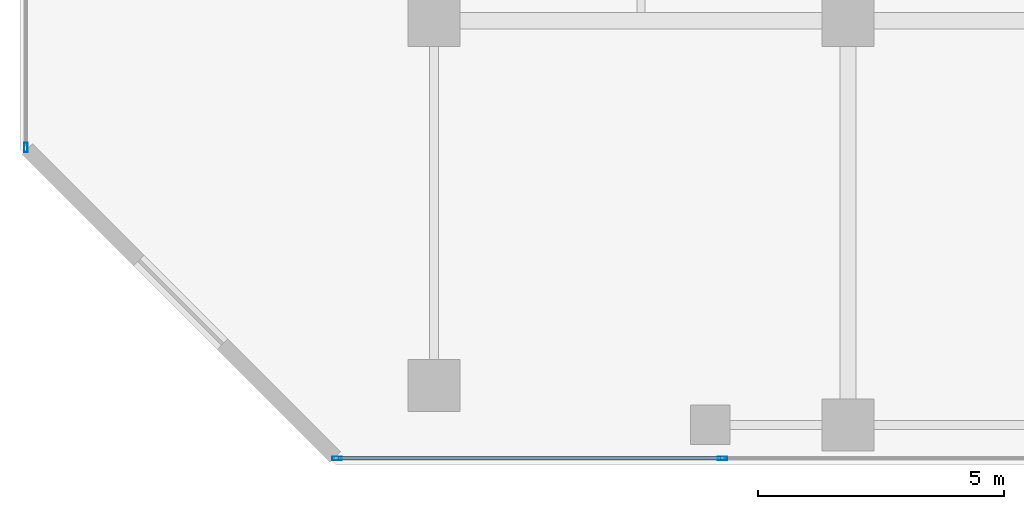
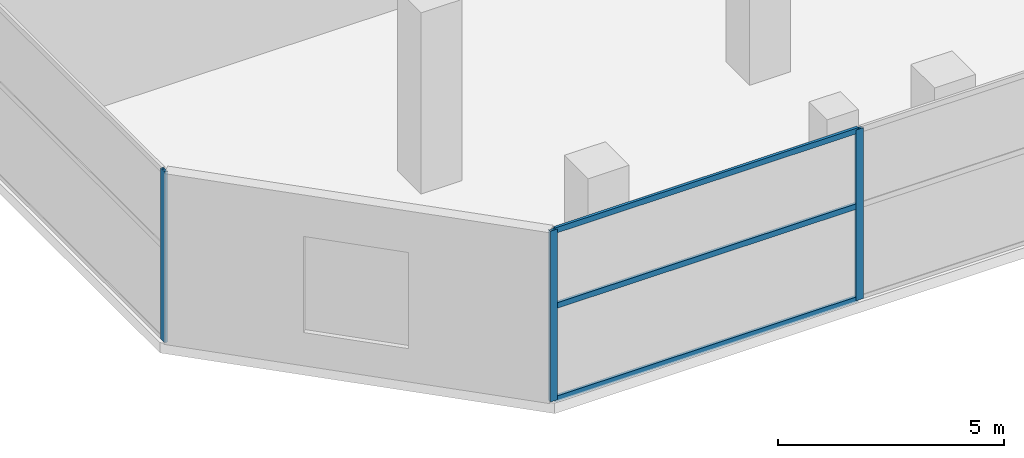
# One storey, part 2 of 39: 6 members, 2 elements without a shape of their own.
"""IFC4 building model written with IfcOpenShell, lengths in metres."""

from ifc_helpers import new_model, si_unit, direction, frame, origin, origin_2d, place, context, subcontext, project, spatial, hollow_rectangle, extrude, material, layer, layer_set, material_profile, profile_set, type_object, element, aggregate, save


model = new_model("IFC4")

# Units and contexts
model_context = context("Model", 3, precision=1e-05, world=origin(), true_north=direction((0.0, 1.0)))
body_context = subcontext(model_context, "Body", "Model", "MODEL_VIEW")
ifc_project = project(units=[si_unit("LENGTHUNIT", "METRE"), si_unit("AREAUNIT", "SQUARE_METRE"), si_unit("VOLUMEUNIT", "CUBIC_METRE"), si_unit("PLANEANGLEUNIT", "RADIAN"), si_unit("MASSUNIT", "GRAM", prefix="KILO")], contexts=[model_context])

# Site, building, storey
site_placement = place(None, origin())
site = spatial("IfcSite", under=ifc_project, at=site_placement, CompositionType="ELEMENT")
building_placement = place(site_placement, origin())
building = spatial("IfcBuilding", under=site, at=building_placement, Name="Maruvema Waterfront Hotel and Observation Tower", CompositionType="ELEMENT")
storey_placement = place(building_placement, frame((0.0, 0.0, 16.449951171875)))
storey = spatial("IfcBuildingStorey", under=building, at=storey_placement, Name="L03", CompositionType="ELEMENT", Elevation=16.449951171875)

# Curtain wall, members
ifc_material_1 = material(Name="Anodised bronze aluminium and solar-control low-E IGU", Category="aluminium")
ifc_layer = layer(ifc_material_1, 0.159912109375, Name="Podium Waterfront Storefront Curtain Wall System CW-01")
ifc_layer_set = layer_set([ifc_layer], Name="Anodised bronze aluminium and solar-control low-E IGU")
curtain_wall_type = type_object("IfcCurtainWallType", Name="Podium Waterfront Storefront Curtain Wall System CW-01", PredefinedType="USERDEFINED", material=ifc_layer_set)
curtain_wall_1_placement = place(storey_placement, origin())
curtain_wall_1 = element("IfcCurtainWall", 1, at=curtain_wall_1_placement, inside=storey, type_object=curtain_wall_type, Name="L03 Curtain Wall CW-L03-S", ObjectType="UNITISED CURTAIN WALL", PredefinedType="USERDEFINED")
ifc_material_2 = material(Name="Anodised architectural bronze aluminium", Category="aluminium")
ifc_material_profile_1 = material_profile(ifc_material_2, hollow_rectangle(XDim=0.070068359375, YDim=0.14990234375, WallThickness=0.00390625, at=origin_2d()), Name="ALU-T70x150")
ifc_profile_set_1 = profile_set([ifc_material_profile_1], Name="Anodised architectural bronze aluminium")
member_type_1 = type_object("IfcMemberType", Name="Curtain Wall Horizontal Transom ALU-T70x150", PredefinedType="USERDEFINED", material=ifc_profile_set_1)
member_1_placement = place(storey_placement, frame((6.4599609375, 0.1201171875, 0.030029296875), z_axis=(1.0, 0.0, 0.0), x_axis=(0.0, 1.0, 0.0)))
member_1 = element("IfcMember", 2, at=member_1_placement, type_object=member_type_1, Name="CW-01 transom 1.1", ObjectType="TRANSOM", PredefinedType="USERDEFINED", context=body_context, shape_type="SweptSolid", body=[
    extrude(hollow_rectangle(XDim=0.070068359375, YDim=0.14990234375, WallThickness=0.00390625, at=origin_2d()), origin(), (0.0, 0.0, 1.0), 7.760009765625),
])
member_2_placement = place(storey_placement, frame((6.4599609375, 0.1201171875, 2.550048828125), z_axis=(1.0, 0.0, 0.0), x_axis=(0.0, 1.0, 0.0)))
member_2 = element("IfcMember", 3, at=member_2_placement, type_object=member_type_1, Name="CW-01 transom 1.2", ObjectType="TRANSOM", PredefinedType="USERDEFINED", context=body_context, shape_type="SweptSolid", body=[
    extrude(hollow_rectangle(XDim=0.070068359375, YDim=0.14990234375, WallThickness=0.00390625, at=origin_2d()), origin(), (0.0, 0.0, 1.0), 7.760009765625),
])
member_3_placement = place(storey_placement, frame((6.4599609375, 0.1201171875, 4.590087890625), z_axis=(1.0, 0.0, 0.0), x_axis=(0.0, 1.0, 0.0)))
member_3 = element("IfcMember", 4, at=member_3_placement, type_object=member_type_1, Name="CW-01 transom 1.3", ObjectType="TRANSOM", PredefinedType="USERDEFINED", context=body_context, shape_type="SweptSolid", body=[
    extrude(hollow_rectangle(XDim=0.070068359375, YDim=0.14990234375, WallThickness=0.00390625, at=origin_2d()), origin(), (0.0, 0.0, 1.0), 7.760009765625),
])
ifc_material_3 = material(Name="Anodised architectural bronze aluminium", Category="aluminium")
ifc_material_profile_2 = material_profile(ifc_material_3, hollow_rectangle(XDim=0.070068359375, YDim=0.18994140625, WallThickness=0.00390625, at=origin_2d()), Name="ALU-M70x190")
ifc_profile_set_2 = profile_set([ifc_material_profile_2], Name="Anodised architectural bronze aluminium")
member_type_2 = type_object("IfcMemberType", Name="Podium Storefront Heavy Mullion ALU-M70x190", PredefinedType="MULLION", material=ifc_profile_set_2)
member_4_placement = place(storey_placement, frame((6.429931640625, 0.1201171875, 0.0), z_axis=(0.0, 0.0, 1.0), x_axis=(0.0, 1.0, 0.0)))
member_4 = element("IfcMember", 5, at=member_4_placement, type_object=member_type_2, Name="CW-01 mullion 1", PredefinedType="MULLION", context=body_context, shape_type="SweptSolid", body=[
    extrude(hollow_rectangle(XDim=0.070068359375, YDim=0.18994140625, WallThickness=0.00390625, at=origin_2d()), origin(), (0.0, 0.0, 1.0), 4.6201171875),
])
member_5_placement = place(storey_placement, frame((14.25, 0.1201171875, 0.0), z_axis=(0.0, 0.0, 1.0), x_axis=(0.0, 1.0, 0.0)))
member_5 = element("IfcMember", 6, at=member_5_placement, type_object=member_type_2, Name="CW-01 mullion 2", PredefinedType="MULLION", context=body_context, shape_type="SweptSolid", body=[
    extrude(hollow_rectangle(XDim=0.070068359375, YDim=0.18994140625, WallThickness=0.00390625, at=origin_2d()), origin(), (0.0, 0.0, 1.0), 4.6201171875),
])
aggregate(curtain_wall_1, [member_4, member_5, member_1, member_2, member_3])

# Curtain wall, member
curtain_wall_2_placement = place(storey_placement, origin())
curtain_wall_2 = element("IfcCurtainWall", 7, at=curtain_wall_2_placement, inside=storey, type_object=curtain_wall_type, Name="L03 Curtain Wall CW-L03-W", ObjectType="UNITISED CURTAIN WALL", PredefinedType="USERDEFINED")
member_6_placement = place(storey_placement, frame((0.1201171875, 6.429931640625, 0.0), z_axis=(0.0, 0.0, 1.0), x_axis=(1.0, 0.0, 0.0)))
member_6 = element("IfcMember", 8, at=member_6_placement, type_object=member_type_2, Name="CW-01 mullion 6", PredefinedType="MULLION", context=body_context, shape_type="SweptSolid", body=[
    extrude(hollow_rectangle(XDim=0.070068359375, YDim=0.18994140625, WallThickness=0.00390625, at=origin_2d()), origin(), (0.0, 0.0, 1.0), 4.6201171875),
])
aggregate(curtain_wall_2, [member_6])

save(model, "model.ifc")
